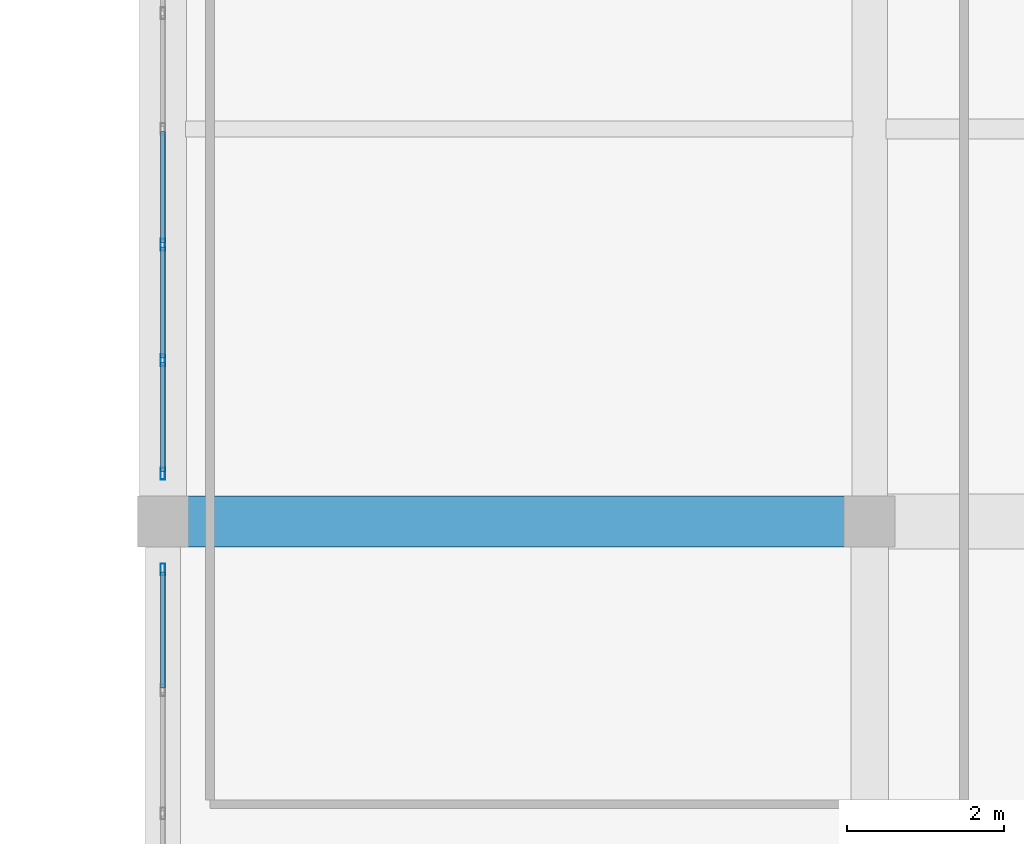
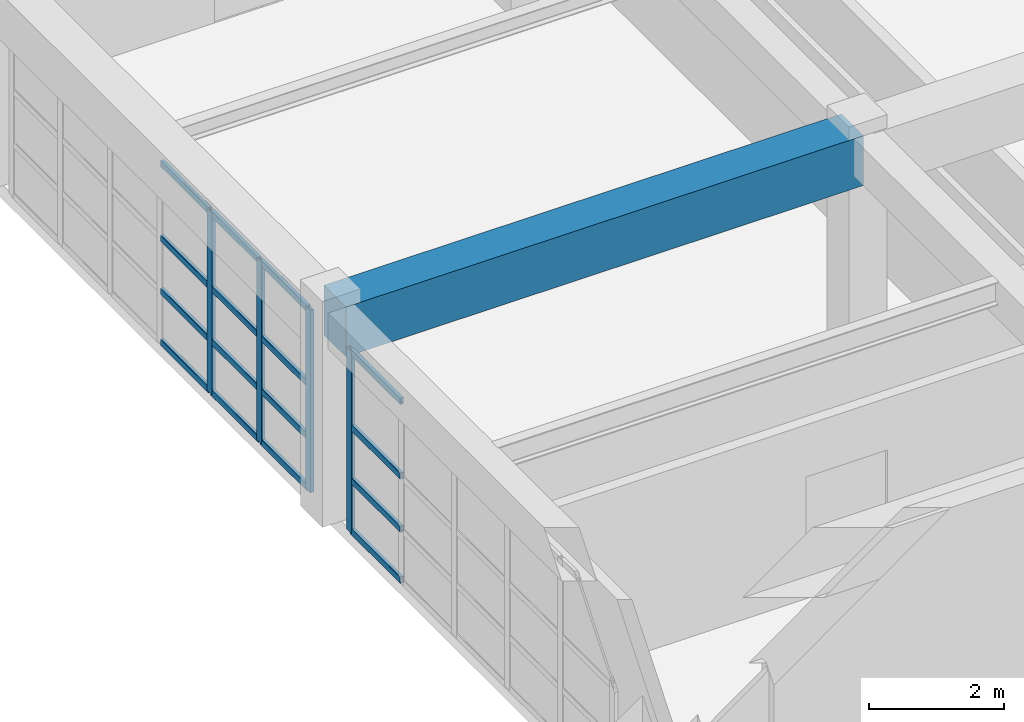
# One storey, part 29 of 130: 20 members, 1 beam, 2 elements without a shape of their own.
"""IFC4 building model written with IfcOpenShell, lengths in metres."""

from ifc_helpers import new_model, si_unit, direction, frame, origin, origin_2d, place, context, subcontext, project, spatial, rectangle, hollow_rectangle, extrude, material, material_profile, profile_set, type_object, element, aggregate, save


model = new_model("IFC4")

# Units and contexts
model_context = context("Model", 3, precision=1e-05, world=origin(), true_north=direction((0.0, 1.0)))
body_context = subcontext(model_context, "Body", "Model", "MODEL_VIEW")
ifc_project = project(units=[si_unit("LENGTHUNIT", "METRE"), si_unit("AREAUNIT", "SQUARE_METRE"), si_unit("VOLUMEUNIT", "CUBIC_METRE"), si_unit("PLANEANGLEUNIT", "RADIAN"), si_unit("MASSUNIT", "GRAM", prefix="KILO")], contexts=[model_context])

# Site, building, storey
site_placement = place(None, origin())
site = spatial("IfcSite", under=ifc_project, at=site_placement, CompositionType="ELEMENT")
building_placement = place(site_placement, origin())
building = spatial("IfcBuilding", under=site, at=building_placement, Name="Miravela Opera House", CompositionType="ELEMENT")
storey_placement = place(building_placement, frame((0.0, 0.0, 9.52001953125)))
storey = spatial("IfcBuildingStorey", under=building, at=storey_placement, Name="L02", CompositionType="ELEMENT", Elevation=9.52001953125)

# Curtain wall, member
ifc_material_1 = material(Name="Anodised architectural bronze aluminium 6063-T6", Category="aluminium")
curtain_wall_type = type_object("IfcCurtainWallType", Name="ARC-CW-06", PredefinedType="NOTDEFINED", material=ifc_material_1)
curtain_wall_1_placement = place(storey_placement, origin())
curtain_wall_1 = element("IfcCurtainWall", 1, at=curtain_wall_1_placement, inside=storey, type_object=curtain_wall_type, Name="Courtyard Arcade Curtain Wall CW-L02-146", PredefinedType="NOTDEFINED")
ifc_material_profile_1 = material_profile(ifc_material_1, hollow_rectangle(XDim=0.06005859375, YDim=0.14990234375, WallThickness=0.00390625, InnerFilletRadius=0.001953125, OuterFilletRadius=0.00390625, at=origin_2d()), Name="CWM-60X150")
ifc_profile_set_1 = profile_set([ifc_material_profile_1])
member_type_1 = type_object("IfcMemberType", Name="ARC-CWM-150", PredefinedType="MULLION", material=ifc_profile_set_1)
member_1_placement = place(storey_placement, frame((63.0, 17.389892578125, 0.0), z_axis=(0.0, 0.0, 1.0), x_axis=(-1.0, 0.0, 0.0)))
member_1 = element("IfcMember", 2, at=member_1_placement, type_object=member_type_1, Name="CW-06 mullion 6", PredefinedType="MULLION", context=body_context, shape_type="SweptSolid", body=[
    extrude(hollow_rectangle(XDim=0.06005859375, YDim=0.14990234375, WallThickness=0.00390625, InnerFilletRadius=0.001953125, OuterFilletRadius=0.00390625, at=origin_2d()), origin(), (0.0, 0.0, 1.0), 3.2900390625),
])

# Curtain wall, members
curtain_wall_2_placement = place(storey_placement, origin())
curtain_wall_2 = element("IfcCurtainWall", 3, at=curtain_wall_2_placement, inside=storey, type_object=curtain_wall_type, Name="Courtyard Arcade Curtain Wall CW-L02-147", PredefinedType="NOTDEFINED")
member_2_placement = place(storey_placement, frame((63.0, 18.610107421875, 0.0), z_axis=(0.0, 0.0, 1.0), x_axis=(-1.0, 0.0, 0.0)))
member_2 = element("IfcMember", 4, at=member_2_placement, type_object=member_type_1, Name="CW-06 mullion 1", PredefinedType="MULLION", context=body_context, shape_type="SweptSolid", body=[
    extrude(hollow_rectangle(XDim=0.06005859375, YDim=0.14990234375, WallThickness=0.00390625, InnerFilletRadius=0.001953125, OuterFilletRadius=0.00390625, at=origin_2d()), origin(), (0.0, 0.0, 1.0), 3.2900390625),
])
member_3_placement = place(storey_placement, frame((63.0, 20.05322265625, 0.0), z_axis=(0.0, 0.0, 1.0), x_axis=(-1.0, 0.0, 0.0)))
member_3 = element("IfcMember", 5, at=member_3_placement, type_object=member_type_1, Name="CW-06 mullion 2", PredefinedType="MULLION", context=body_context, shape_type="SweptSolid", body=[
    extrude(hollow_rectangle(XDim=0.06005859375, YDim=0.14990234375, WallThickness=0.00390625, InnerFilletRadius=0.001953125, OuterFilletRadius=0.00390625, at=origin_2d()), origin(), (0.0, 0.0, 1.0), 3.2900390625),
])
member_4_placement = place(storey_placement, frame((63.0, 21.526611328125, 0.0), z_axis=(0.0, 0.0, 1.0), x_axis=(-1.0, 0.0, 0.0)))
member_4 = element("IfcMember", 6, at=member_4_placement, type_object=member_type_1, Name="CW-06 mullion 3", PredefinedType="MULLION", context=body_context, shape_type="SweptSolid", body=[
    extrude(hollow_rectangle(XDim=0.06005859375, YDim=0.14990234375, WallThickness=0.00390625, InnerFilletRadius=0.001953125, OuterFilletRadius=0.00390625, at=origin_2d()), origin(), (0.0, 0.0, 1.0), 3.2900390625),
])

# Member
ifc_material_profile_2 = material_profile(ifc_material_1, hollow_rectangle(XDim=0.06005859375, YDim=0.114990234375, WallThickness=0.00390625, InnerFilletRadius=0.001953125, OuterFilletRadius=0.00390625, at=origin_2d()), Name="CWT-60X115")
ifc_profile_set_2 = profile_set([ifc_material_profile_2])
member_type_2 = type_object("IfcMemberType", Name="ARC-CWT-115", PredefinedType="USERDEFINED", material=ifc_profile_set_2)
member_5_placement = place(storey_placement, frame((63.0, 15.882080078125, 0.030029296875), z_axis=(0.0, 1.0, 0.0), x_axis=(-1.0, 0.0, 0.0)))
member_5 = element("IfcMember", 7, at=member_5_placement, type_object=member_type_2, Name="CW-06 transom 5.1", ObjectType="TRANSOM", PredefinedType="USERDEFINED", context=body_context, shape_type="SweptSolid", body=[
    extrude(hollow_rectangle(XDim=0.06005859375, YDim=0.114990234375, WallThickness=0.00390625, InnerFilletRadius=0.001953125, OuterFilletRadius=0.00390625, at=origin_2d()), origin(), (0.0, 0.0, 1.0), 1.47802734375),
])

member_6_placement = place(storey_placement, frame((63.0, 15.882080078125, 0.949951171875), z_axis=(0.0, 1.0, 0.0), x_axis=(-1.0, 0.0, 0.0)))
member_6 = element("IfcMember", 8, at=member_6_placement, type_object=member_type_2, Name="CW-06 transom 5.2", ObjectType="TRANSOM", PredefinedType="USERDEFINED", context=body_context, shape_type="SweptSolid", body=[
    extrude(hollow_rectangle(XDim=0.06005859375, YDim=0.114990234375, WallThickness=0.00390625, InnerFilletRadius=0.001953125, OuterFilletRadius=0.00390625, at=origin_2d()), origin(), (0.0, 0.0, 1.0), 1.47802734375),
])

member_7_placement = place(storey_placement, frame((63.0, 15.882080078125, 1.908203125), z_axis=(0.0, 1.0, 0.0), x_axis=(-1.0, 0.0, 0.0)))
member_7 = element("IfcMember", 9, at=member_7_placement, type_object=member_type_2, Name="CW-06 transom 5.3", ObjectType="TRANSOM", PredefinedType="USERDEFINED", context=body_context, shape_type="SweptSolid", body=[
    extrude(hollow_rectangle(XDim=0.06005859375, YDim=0.114990234375, WallThickness=0.00390625, InnerFilletRadius=0.001953125, OuterFilletRadius=0.00390625, at=origin_2d()), origin(), (0.0, 0.0, 1.0), 1.47802734375),
])

member_8_placement = place(storey_placement, frame((63.0, 15.882080078125, 3.260009765625), z_axis=(0.0, 1.0, 0.0), x_axis=(-1.0, 0.0, 0.0)))
member_8 = element("IfcMember", 10, at=member_8_placement, type_object=member_type_2, Name="CW-06 transom 5.4", ObjectType="TRANSOM", PredefinedType="USERDEFINED", context=body_context, shape_type="SweptSolid", body=[
    extrude(hollow_rectangle(XDim=0.06005859375, YDim=0.114990234375, WallThickness=0.00390625, InnerFilletRadius=0.001953125, OuterFilletRadius=0.00390625, at=origin_2d()), origin(), (0.0, 0.0, 1.0), 1.47802734375),
])

aggregate(curtain_wall_1, [member_1, member_5, member_6, member_7, member_8])

member_9_placement = place(storey_placement, frame((63.0, 18.639892578125, 0.030029296875), z_axis=(0.0, 1.0, 0.0), x_axis=(-1.0, 0.0, 0.0)))
member_9 = element("IfcMember", 11, at=member_9_placement, type_object=member_type_2, Name="CW-06 transom 1.1", ObjectType="TRANSOM", PredefinedType="USERDEFINED", context=body_context, shape_type="SweptSolid", body=[
    extrude(hollow_rectangle(XDim=0.06005859375, YDim=0.114990234375, WallThickness=0.00390625, InnerFilletRadius=0.001953125, OuterFilletRadius=0.00390625, at=origin_2d()), origin(), (0.0, 0.0, 1.0), 1.383544921875),
])

member_10_placement = place(storey_placement, frame((63.0, 18.639892578125, 0.949951171875), z_axis=(0.0, 1.0, 0.0), x_axis=(-1.0, 0.0, 0.0)))
member_10 = element("IfcMember", 12, at=member_10_placement, type_object=member_type_2, Name="CW-06 transom 1.2", ObjectType="TRANSOM", PredefinedType="USERDEFINED", context=body_context, shape_type="SweptSolid", body=[
    extrude(hollow_rectangle(XDim=0.06005859375, YDim=0.114990234375, WallThickness=0.00390625, InnerFilletRadius=0.001953125, OuterFilletRadius=0.00390625, at=origin_2d()), origin(), (0.0, 0.0, 1.0), 1.383544921875),
])

member_11_placement = place(storey_placement, frame((63.0, 18.639892578125, 1.908203125), z_axis=(0.0, 1.0, 0.0), x_axis=(-1.0, 0.0, 0.0)))
member_11 = element("IfcMember", 13, at=member_11_placement, type_object=member_type_2, Name="CW-06 transom 1.3", ObjectType="TRANSOM", PredefinedType="USERDEFINED", context=body_context, shape_type="SweptSolid", body=[
    extrude(hollow_rectangle(XDim=0.06005859375, YDim=0.114990234375, WallThickness=0.00390625, InnerFilletRadius=0.001953125, OuterFilletRadius=0.00390625, at=origin_2d()), origin(), (0.0, 0.0, 1.0), 1.383544921875),
])

member_12_placement = place(storey_placement, frame((63.0, 18.639892578125, 3.260009765625), z_axis=(0.0, 1.0, 0.0), x_axis=(-1.0, 0.0, 0.0)))
member_12 = element("IfcMember", 14, at=member_12_placement, type_object=member_type_2, Name="CW-06 transom 1.4", ObjectType="TRANSOM", PredefinedType="USERDEFINED", context=body_context, shape_type="SweptSolid", body=[
    extrude(hollow_rectangle(XDim=0.06005859375, YDim=0.114990234375, WallThickness=0.00390625, InnerFilletRadius=0.001953125, OuterFilletRadius=0.00390625, at=origin_2d()), origin(), (0.0, 0.0, 1.0), 1.383544921875),
])

member_13_placement = place(storey_placement, frame((63.0, 20.083251953125, 0.030029296875), z_axis=(0.0, 1.0, 0.0), x_axis=(-1.0, 0.0, 0.0)))
member_13 = element("IfcMember", 15, at=member_13_placement, type_object=member_type_2, Name="CW-06 transom 2.1", ObjectType="TRANSOM", PredefinedType="USERDEFINED", context=body_context, shape_type="SweptSolid", body=[
    extrude(hollow_rectangle(XDim=0.06005859375, YDim=0.114990234375, WallThickness=0.00390625, InnerFilletRadius=0.001953125, OuterFilletRadius=0.00390625, at=origin_2d()), origin(), (0.0, 0.0, 1.0), 1.413330078125),
])

member_14_placement = place(storey_placement, frame((63.0, 20.083251953125, 0.949951171875), z_axis=(0.0, 1.0, 0.0), x_axis=(-1.0, 0.0, 0.0)))
member_14 = element("IfcMember", 16, at=member_14_placement, type_object=member_type_2, Name="CW-06 transom 2.2", ObjectType="TRANSOM", PredefinedType="USERDEFINED", context=body_context, shape_type="SweptSolid", body=[
    extrude(hollow_rectangle(XDim=0.06005859375, YDim=0.114990234375, WallThickness=0.00390625, InnerFilletRadius=0.001953125, OuterFilletRadius=0.00390625, at=origin_2d()), origin(), (0.0, 0.0, 1.0), 1.413330078125),
])

member_15_placement = place(storey_placement, frame((63.0, 20.083251953125, 1.908203125), z_axis=(0.0, 1.0, 0.0), x_axis=(-1.0, 0.0, 0.0)))
member_15 = element("IfcMember", 17, at=member_15_placement, type_object=member_type_2, Name="CW-06 transom 2.3", ObjectType="TRANSOM", PredefinedType="USERDEFINED", context=body_context, shape_type="SweptSolid", body=[
    extrude(hollow_rectangle(XDim=0.06005859375, YDim=0.114990234375, WallThickness=0.00390625, InnerFilletRadius=0.001953125, OuterFilletRadius=0.00390625, at=origin_2d()), origin(), (0.0, 0.0, 1.0), 1.413330078125),
])

member_16_placement = place(storey_placement, frame((63.0, 20.083251953125, 3.260009765625), z_axis=(0.0, 1.0, 0.0), x_axis=(-1.0, 0.0, 0.0)))
member_16 = element("IfcMember", 18, at=member_16_placement, type_object=member_type_2, Name="CW-06 transom 2.4", ObjectType="TRANSOM", PredefinedType="USERDEFINED", context=body_context, shape_type="SweptSolid", body=[
    extrude(hollow_rectangle(XDim=0.06005859375, YDim=0.114990234375, WallThickness=0.00390625, InnerFilletRadius=0.001953125, OuterFilletRadius=0.00390625, at=origin_2d()), origin(), (0.0, 0.0, 1.0), 1.413330078125),
])

member_17_placement = place(storey_placement, frame((63.0, 21.556640625, 0.030029296875), z_axis=(0.0, 1.0, 0.0), x_axis=(-1.0, 0.0, 0.0)))
member_17 = element("IfcMember", 19, at=member_17_placement, type_object=member_type_2, Name="CW-06 transom 3.1", ObjectType="TRANSOM", PredefinedType="USERDEFINED", context=body_context, shape_type="SweptSolid", body=[
    extrude(hollow_rectangle(XDim=0.06005859375, YDim=0.114990234375, WallThickness=0.00390625, InnerFilletRadius=0.001953125, OuterFilletRadius=0.00390625, at=origin_2d()), origin(), (0.0, 0.0, 1.0), 1.413330078125),
])

member_18_placement = place(storey_placement, frame((63.0, 21.556640625, 0.949951171875), z_axis=(0.0, 1.0, 0.0), x_axis=(-1.0, 0.0, 0.0)))
member_18 = element("IfcMember", 20, at=member_18_placement, type_object=member_type_2, Name="CW-06 transom 3.2", ObjectType="TRANSOM", PredefinedType="USERDEFINED", context=body_context, shape_type="SweptSolid", body=[
    extrude(hollow_rectangle(XDim=0.06005859375, YDim=0.114990234375, WallThickness=0.00390625, InnerFilletRadius=0.001953125, OuterFilletRadius=0.00390625, at=origin_2d()), origin(), (0.0, 0.0, 1.0), 1.413330078125),
])

member_19_placement = place(storey_placement, frame((63.0, 21.556640625, 1.908203125), z_axis=(0.0, 1.0, 0.0), x_axis=(-1.0, 0.0, 0.0)))
member_19 = element("IfcMember", 21, at=member_19_placement, type_object=member_type_2, Name="CW-06 transom 3.3", ObjectType="TRANSOM", PredefinedType="USERDEFINED", context=body_context, shape_type="SweptSolid", body=[
    extrude(hollow_rectangle(XDim=0.06005859375, YDim=0.114990234375, WallThickness=0.00390625, InnerFilletRadius=0.001953125, OuterFilletRadius=0.00390625, at=origin_2d()), origin(), (0.0, 0.0, 1.0), 1.413330078125),
])

member_20_placement = place(storey_placement, frame((63.0, 21.556640625, 3.260009765625), z_axis=(0.0, 1.0, 0.0), x_axis=(-1.0, 0.0, 0.0)))
member_20 = element("IfcMember", 22, at=member_20_placement, type_object=member_type_2, Name="CW-06 transom 3.4", ObjectType="TRANSOM", PredefinedType="USERDEFINED", context=body_context, shape_type="SweptSolid", body=[
    extrude(hollow_rectangle(XDim=0.06005859375, YDim=0.114990234375, WallThickness=0.00390625, InnerFilletRadius=0.001953125, OuterFilletRadius=0.00390625, at=origin_2d()), origin(), (0.0, 0.0, 1.0), 1.413330078125),
])

aggregate(curtain_wall_2, [member_2, member_3, member_4, member_9, member_10, member_11, member_12, member_13, member_14, member_15, member_16, member_17, member_18, member_19, member_20])

# Beam
ifc_material_2 = material(Name="Concrete C40/50", Category="concrete")
ifc_material_profile_3 = material_profile(ifc_material_2, rectangle(XDim=0.64990234375, YDim=0.89990234375, at=origin_2d()), Name="RC-BM-650X900")
ifc_profile_set_3 = profile_set([ifc_material_profile_3])
beam_type = type_object("IfcBeamType", Name="STR-BM-RC650X900", PredefinedType="BEAM", material=ifc_profile_set_3)
beam_placement = place(storey_placement, frame((63.080078125, 18.0, 3.389892578125), z_axis=(1.0, 0.0, 0.0), x_axis=(0.0, 1.0, 0.0)))
element("IfcBeam", 23, at=beam_placement, inside=storey, type_object=beam_type, Name="Floor Girder L02 8-9/C", PredefinedType="BEAM", context=body_context, shape_type="SweptSolid", body=[
    extrude(rectangle(XDim=0.64990234375, YDim=0.89990234375, at=origin_2d()), origin(), (0.0, 0.0, 1.0), 8.83984375),
])

save(model, "model.ifc")
